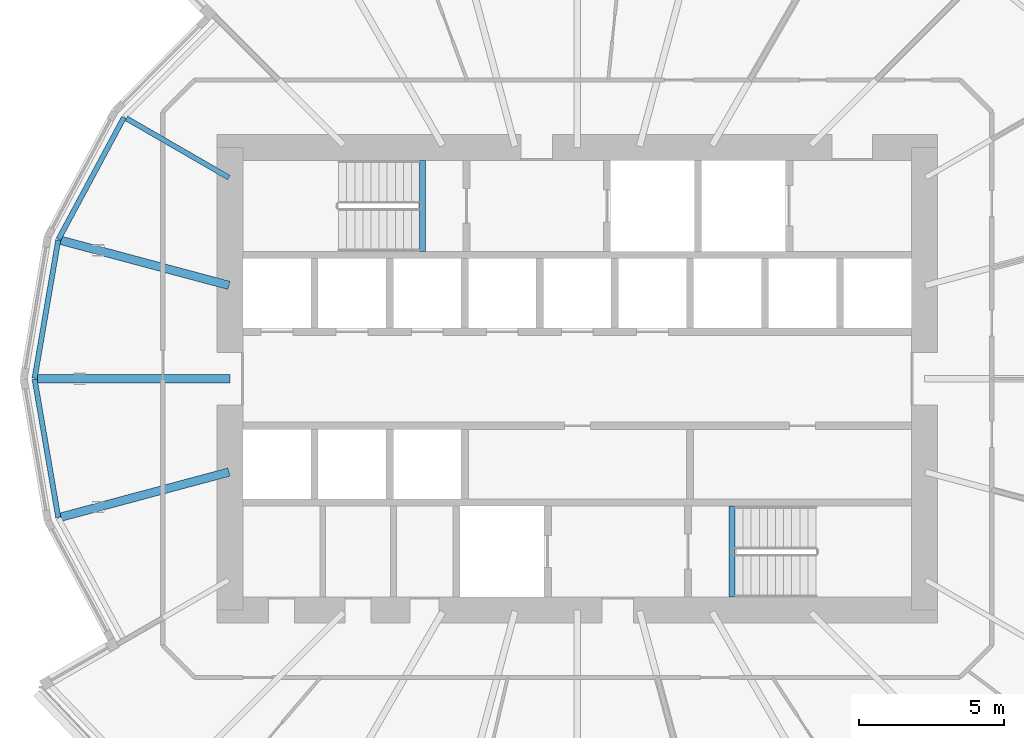
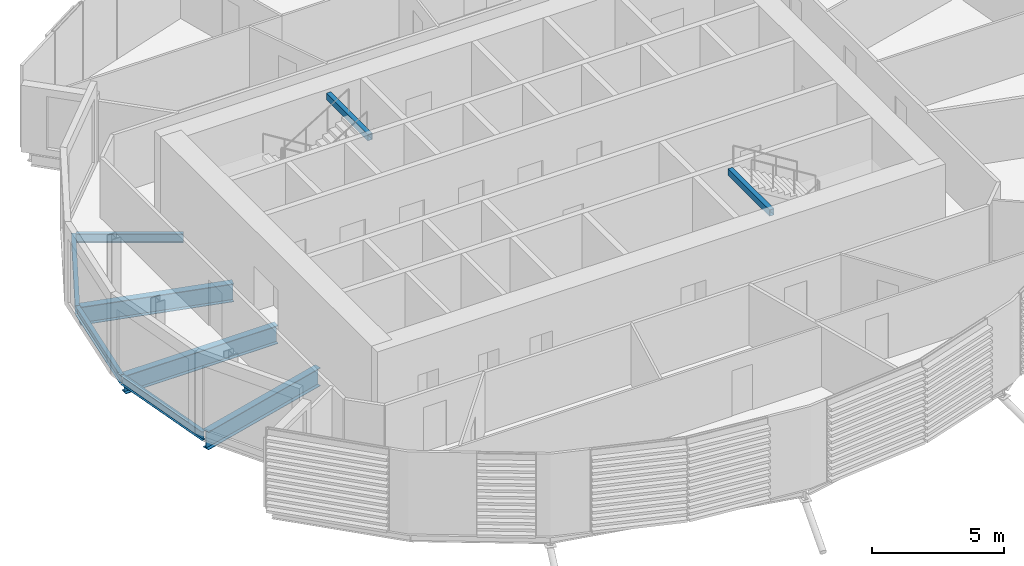
# One storey, part 5 of 36: 9 beams.
"""IFC4 building model written with IfcOpenShell, lengths in metres."""

from ifc_helpers import new_model, si_unit, direction, frame, origin, origin_2d, place, context, subcontext, project, spatial, hollow_rectangle, i_section, extrude, material, material_profile, profile_set, type_object, element, save


model = new_model("IFC4")

# Units and contexts
model_context = context("Model", 3, precision=1e-05, world=origin(), true_north=direction((0.0, 1.0)))
body_context = subcontext(model_context, "Body", "Model", "MODEL_VIEW")
ifc_project = project(units=[si_unit("LENGTHUNIT", "METRE"), si_unit("AREAUNIT", "SQUARE_METRE"), si_unit("VOLUMEUNIT", "CUBIC_METRE"), si_unit("PLANEANGLEUNIT", "RADIAN"), si_unit("MASSUNIT", "GRAM", prefix="KILO")], contexts=[model_context])

# Site, building, storey
site_placement = place(None, origin())
site = spatial("IfcSite", under=ifc_project, at=site_placement, CompositionType="ELEMENT")
building_placement = place(site_placement, origin())
building = spatial("IfcBuilding", under=site, at=building_placement, Name="Rimbun Link Towers", CompositionType="ELEMENT")
storey_placement = place(building_placement, frame((0.0, 0.0, 33.800048828125)))
storey = spatial("IfcBuildingStorey", under=building, at=storey_placement, Name="L07", CompositionType="ELEMENT", Elevation=33.800048828125)

# Beams
ifc_material_1 = material(Name="Steel S355J2", Category="steel")
ifc_material_profile_1 = material_profile(ifc_material_1, hollow_rectangle(XDim=0.199951171875, YDim=0.300048828125, WallThickness=0.011962890625, at=origin_2d()), Name="BOX 300x200x12")
ifc_profile_set_1 = profile_set([ifc_material_profile_1], Name="Steel S355J2")
beam_type_1 = type_object("IfcBeamType", Name="Stair trimmer beam BOX 300x200x12", PredefinedType="BEAM", material=ifc_profile_set_1)
for number, where, z_axis, x_axis, name in (
    (1, (-37.10009765625, 7.550048828125, 3.489990234375), (0.0, -1.0, 0.0), (1.0, 0.0, 0.0), "L07 ST1 stair beam 1"),
    (2, (-26.39990234375, -7.550048828125, 3.489990234375), (0.0, 1.0, 0.0), (-1.0, 0.0, 0.0), "L07 ST2 stair beam 1"),
):
    element("IfcBeam", number, at=place(storey_placement, frame(where, z_axis=z_axis, x_axis=x_axis)), inside=storey, type_object=beam_type_1, Name=name, PredefinedType="BEAM", context=body_context, shape_type="SweptSolid", body=[
        extrude(hollow_rectangle(XDim=0.199951171875, YDim=0.300048828125, WallThickness=0.011962890625, at=origin_2d()), origin(), (0.0, 0.0, 1.0), 3.150146484375),
    ])
ifc_material_2 = material(Name="Steel S355J2", Category="steel")
ifc_material_profile_2 = material_profile(ifc_material_2, i_section(OverallWidth=0.177978515625, OverallDepth=0.406494140625, WebThickness=0.0078125, FlangeThickness=0.0126953125, at=origin_2d()), Name="UB 406x178x60")
ifc_profile_set_2 = profile_set([ifc_material_profile_2], Name="Steel S355J2")
beam_type_2 = type_object("IfcBeamType", Name="UB 406x178x60", PredefinedType="BEAM", material=ifc_profile_set_2)
beam_1_placement = place(storey_placement, frame((-43.79541015625, 6.954345703125, -0.36328125), z_axis=(-0.866017439413, 0.500013794443, 0.0), x_axis=(-0.500013794443, -0.866017439413, 0.0)))
element("IfcBeam", 3, at=beam_1_placement, inside=storey, type_object=beam_type_2, Name="Radial beam T1 L07 10", PredefinedType="BEAM", context=body_context, shape_type="SweptSolid", body=[
    extrude(i_section(OverallWidth=0.177978515625, OverallDepth=0.406494140625, WebThickness=0.0078125, FlangeThickness=0.0126953125, at=origin_2d()), origin(), (0.0, 0.0, 1.0), 4.08642578125),
])
beam_2_placement = place(storey_placement, frame((-47.41943359375, 9.030517578125, -0.36328125), z_axis=(-0.473136917204, -0.880988908885, 0.0), x_axis=(0.880988908885, -0.473136917204, 0.0)))
element("IfcBeam", 4, at=beam_2_placement, inside=storey, type_object=beam_type_2, Name="Edge beam T1 L07 10 recess", PredefinedType="BEAM", context=body_context, shape_type="SweptSolid", body=[
    extrude(i_section(OverallWidth=0.177978515625, OverallDepth=0.406494140625, WebThickness=0.0078125, FlangeThickness=0.0126953125, at=origin_2d()), origin(), (0.0, 0.0, 1.0), 4.779296875),
])
for number, where, z_axis, x_axis, name in (
    (5, (-49.6904296875, 4.791259765625, -0.36328125), (-0.168426648722, -0.985714189814, 0.0), (0.985714189814, -0.168426648722, 0.0), "Edge beam T1 L07 11 recess"),
    (6, (-50.50634765625, -0.01611328125, -0.36328125), (0.168426648722, -0.985714189814, 0.0), (0.985714189814, 0.168426648722, 0.0), "Edge beam T1 L07 12 recess"),
):
    element("IfcBeam", number, at=place(storey_placement, frame(where, z_axis=z_axis, x_axis=x_axis)), inside=storey, type_object=beam_type_2, Name=name, PredefinedType="BEAM", context=body_context, shape_type="SweptSolid", body=[
        extrude(i_section(OverallWidth=0.177978515625, OverallDepth=0.406494140625, WebThickness=0.0078125, FlangeThickness=0.0126953125, at=origin_2d()), origin(), (0.0, 0.0, 1.0), 4.84423828125),
    ])
ifc_material_3 = material(Name="Steel S355J2", Category="steel")
ifc_material_profile_3 = material_profile(ifc_material_3, i_section(OverallWidth=0.29248046875, OverallDepth=0.8408203125, WebThickness=0.0126953125, FlangeThickness=0.021728515625, at=origin_2d()), Name="UB 838x292x194")
ifc_profile_set_3 = profile_set([ifc_material_profile_3], Name="Steel S355J2")
beam_type_3 = type_object("IfcBeamType", Name="UB 838x292x194", PredefinedType="BEAM", material=ifc_profile_set_3)
beam_3_placement = place(storey_placement, frame((-43.788818359375, 3.225830078125, -0.580322265625), z_axis=(-0.96592378205, 0.258826674187, 0.0), x_axis=(-0.258826674187, -0.96592378205, 0.0)))
element("IfcBeam", 7, at=beam_3_placement, inside=storey, type_object=beam_type_3, Name="Radial beam T1 L07 11", PredefinedType="BEAM", context=body_context, shape_type="SweptSolid", body=[
    extrude(i_section(OverallWidth=0.29248046875, OverallDepth=0.8408203125, WebThickness=0.0126953125, FlangeThickness=0.021728515625, at=origin_2d()), origin(), (0.0, 0.0, 1.0), 6.01708984375),
])
beam_4_placement = place(storey_placement, frame((-43.7509765625, 0.0, -0.580322265625), z_axis=(-1.0, 0.0, 0.0), x_axis=(0.0, -1.0, 0.0)))
element("IfcBeam", 8, at=beam_4_placement, inside=storey, type_object=beam_type_3, Name="Radial beam T1 L07 12", PredefinedType="BEAM", context=body_context, shape_type="SweptSolid", body=[
    extrude(i_section(OverallWidth=0.29248046875, OverallDepth=0.8408203125, WebThickness=0.0126953125, FlangeThickness=0.021728515625, at=origin_2d()), origin(), (0.0, 0.0, 1.0), 6.668212890625),
])
beam_5_placement = place(storey_placement, frame((-43.788818359375, -3.225830078125, -0.580322265625), z_axis=(-0.96592378205, -0.258826674187, 0.0), x_axis=(0.258826674187, -0.96592378205, 0.0)))
element("IfcBeam", 9, at=beam_5_placement, inside=storey, type_object=beam_type_3, Name="Radial beam T1 L07 13", PredefinedType="BEAM", context=body_context, shape_type="SweptSolid", body=[
    extrude(i_section(OverallWidth=0.29248046875, OverallDepth=0.8408203125, WebThickness=0.0126953125, FlangeThickness=0.021728515625, at=origin_2d()), origin(), (0.0, 0.0, 1.0), 6.01708984375),
])

save(model, "model.ifc")
